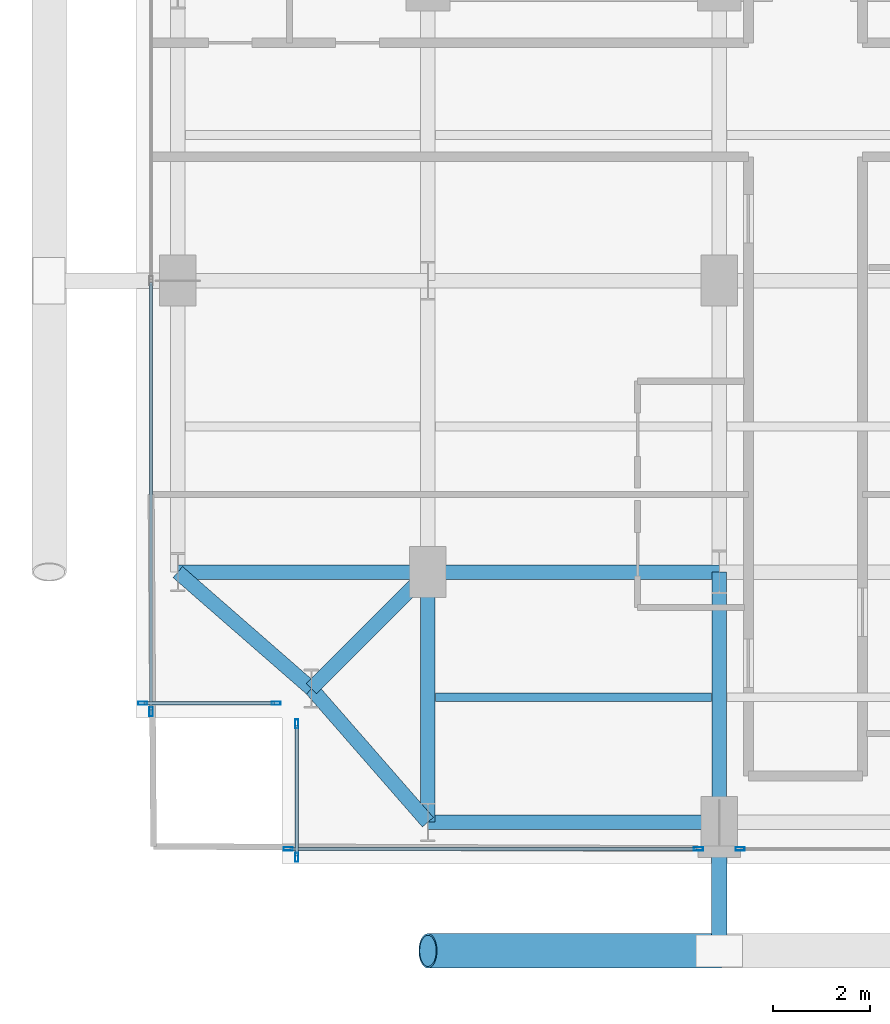
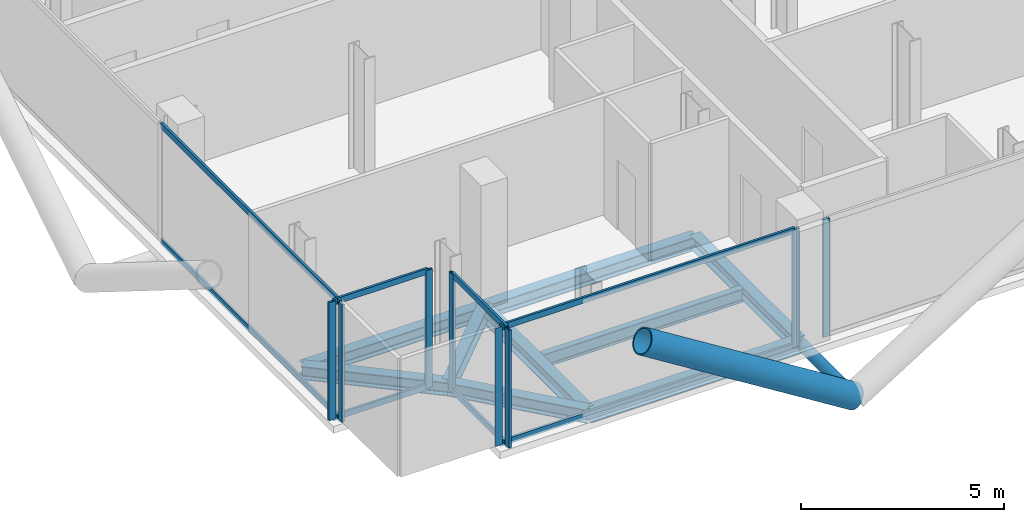
# One storey, part 2 of 25: 18 members, 9 beams, 5 elements without a shape of their own.
"""IFC4 building model written with IfcOpenShell, lengths in metres."""

from ifc_helpers import new_model, si_unit, direction, frame, origin, origin_2d, place, context, subcontext, project, spatial, hollow_rectangle, hollow_circle, i_section, extrude, material, layer, layer_set, material_profile, profile_set, type_object, element, aggregate, save


model = new_model("IFC4")

# Units and contexts
model_context = context("Model", 3, precision=1e-05, world=origin(), true_north=direction((0.0, 1.0)))
body_context = subcontext(model_context, "Body", "Model", "MODEL_VIEW")
ifc_project = project(units=[si_unit("LENGTHUNIT", "METRE"), si_unit("AREAUNIT", "SQUARE_METRE"), si_unit("VOLUMEUNIT", "CUBIC_METRE"), si_unit("PLANEANGLEUNIT", "RADIAN"), si_unit("MASSUNIT", "GRAM", prefix="KILO"), si_unit("THERMODYNAMICTEMPERATUREUNIT", "KELVIN"), si_unit("POWERUNIT", "WATT")], contexts=[model_context])

# Site, building, storey
site_placement = place(None, origin())
site = spatial("IfcSite", under=ifc_project, at=site_placement, CompositionType="ELEMENT")
building_placement = place(site_placement, origin())
building = spatial("IfcBuilding", under=site, at=building_placement, Name="Svarakhadi Broadcast Tower", CompositionType="ELEMENT")
storey_placement = place(building_placement, frame((0.0, 0.0, 216.14990234375)))
storey = spatial("IfcBuildingStorey", under=building, at=storey_placement, Name="L53", CompositionType="ELEMENT", Elevation=216.14990234375)

# Beam
ifc_material_1 = material(Name="Steel S355J2 (IS 2062 E350C)", Category="steel")
ifc_material_profile_1 = material_profile(ifc_material_1, i_section(OverallWidth=0.179931640625, OverallDepth=0.39990234375, WebThickness=0.008544921875, FlangeThickness=0.013427734375, FilletRadius=0.02099609375, at=origin_2d()), Name="NPB 400x180x66")
ifc_profile_set_1 = profile_set([ifc_material_profile_1], Name="Steel S355J2 (IS 2062 E350C)")
beam_type_1 = type_object("IfcBeamType", Name="Beam_NPB400", PredefinedType="BEAM", material=ifc_profile_set_1)
beam_1_placement = place(storey_placement, frame((6.159912109375, 3.425048828125, -0.409912109375), z_axis=(1.0, 0.0, 0.0), x_axis=(0.0, 1.0, 0.0)))
element("IfcBeam", 1, at=beam_1_placement, inside=storey, type_object=beam_type_1, Name="L53 Secondary Composite Beam SB005", PredefinedType="BEAM", context=body_context, shape_type="SweptSolid", body=[
    extrude(i_section(OverallWidth=0.179931640625, OverallDepth=0.39990234375, WebThickness=0.008544921875, FlangeThickness=0.013427734375, FilletRadius=0.02099609375, at=origin_2d()), origin(), (0.0, 0.0, 1.0), 5.68017578125),
])

# Curtain wall, members
ifc_material_2 = material(Name="Anodised Bronze Aluminium AA 6063-T6", Category="aluminium")
ifc_layer = layer(ifc_material_2, 0.18994140625)
ifc_layer_set = layer_set([ifc_layer], Name="Anodised Bronze Aluminium AA 6063-T6")
curtain_wall_type = type_object("IfcCurtainWallType", Name="CW_Sys_04", PredefinedType="NOTDEFINED", material=ifc_layer_set)
curtain_wall_1_placement = place(storey_placement, origin())
curtain_wall_1 = element("IfcCurtainWall", 2, at=curtain_wall_1_placement, inside=storey, type_object=curtain_wall_type, Name="L53 Unitised Facade Curtain Wall 01", PredefinedType="NOTDEFINED")
ifc_material_profile_2 = material_profile(ifc_material_2, hollow_rectangle(XDim=0.070068359375, YDim=0.18994140625, WallThickness=0.005615234375, at=origin_2d()), Name="ALU MULLION 190x70x6")
ifc_profile_set_2 = profile_set([ifc_material_profile_2], Name="Anodised Bronze Aluminium AA 6063-T6")
member_type_1 = type_object("IfcMemberType", Name="CW_Sys_04_Mul", PredefinedType="MULLION", material=ifc_profile_set_2)
member_1_placement = place(storey_placement, frame((2.875, 3.300048828125, 0.0), z_axis=(0.0, 0.0, 1.0), x_axis=(0.0, -1.0, 0.0)))
member_1 = element("IfcMember", 3, at=member_1_placement, type_object=member_type_1, Name="CW-04 mullion 1", PredefinedType="MULLION", context=body_context, shape_type="SweptSolid", body=[
    extrude(hollow_rectangle(XDim=0.070068359375, YDim=0.18994140625, WallThickness=0.005615234375, at=origin_2d()), origin(), (0.0, 0.0, 1.0), 3.5400390625),
])
member_2_placement = place(storey_placement, frame((0.125, 3.300048828125, 0.0), z_axis=(0.0, 0.0, 1.0), x_axis=(0.0, -1.0, 0.0)))
member_2 = element("IfcMember", 4, at=member_2_placement, type_object=member_type_1, Name="CW-04 mullion 2", PredefinedType="MULLION", context=body_context, shape_type="SweptSolid", body=[
    extrude(hollow_rectangle(XDim=0.070068359375, YDim=0.18994140625, WallThickness=0.005615234375, at=origin_2d()), origin(), (0.0, 0.0, 1.0), 3.5400390625),
])

# Curtain wall, member
curtain_wall_2_placement = place(storey_placement, origin())
curtain_wall_2 = element("IfcCurtainWall", 5, at=curtain_wall_2_placement, inside=storey, type_object=curtain_wall_type, Name="L53 West Curtain Wall 02", PredefinedType="NOTDEFINED")
member_3_placement = place(storey_placement, frame((0.300048828125, 3.125, 0.0), z_axis=(0.0, 0.0, 1.0), x_axis=(-1.0, 0.0, 0.0)))
member_3 = element("IfcMember", 6, at=member_3_placement, type_object=member_type_1, Name="CW-04 mullion 1", PredefinedType="MULLION", context=body_context, shape_type="SweptSolid", body=[
    extrude(hollow_rectangle(XDim=0.070068359375, YDim=0.18994140625, WallThickness=0.005615234375, at=origin_2d()), origin(), (0.0, 0.0, 1.0), 3.5400390625),
])

curtain_wall_3_placement = place(storey_placement, origin())
curtain_wall_3 = element("IfcCurtainWall", 7, at=curtain_wall_3_placement, inside=storey, type_object=curtain_wall_type, Name="L53 South Curtain Wall 17 Bay 2", PredefinedType="NOTDEFINED")
member_4_placement = place(storey_placement, frame((12.429931640625, 0.300048828125, 0.0), z_axis=(0.0, 0.0, 1.0), x_axis=(0.0, -1.0, 0.0)))
member_4 = element("IfcMember", 8, at=member_4_placement, type_object=member_type_1, Name="CW-04 mullion 2", PredefinedType="MULLION", context=body_context, shape_type="SweptSolid", body=[
    extrude(hollow_rectangle(XDim=0.070068359375, YDim=0.18994140625, WallThickness=0.005615234375, at=origin_2d()), origin(), (0.0, 0.0, 1.0), 3.5400390625),
])
aggregate(curtain_wall_3, [member_4])

# Curtain wall, members
curtain_wall_4_placement = place(storey_placement, origin())
curtain_wall_4 = element("IfcCurtainWall", 9, at=curtain_wall_4_placement, inside=storey, type_object=curtain_wall_type, Name="L53 South Curtain Wall 17 Bay 3", PredefinedType="NOTDEFINED")
member_5_placement = place(storey_placement, frame((11.570068359375, 0.300048828125, 0.0), z_axis=(0.0, 0.0, 1.0), x_axis=(0.0, -1.0, 0.0)))
member_5 = element("IfcMember", 10, at=member_5_placement, type_object=member_type_1, Name="CW-04 mullion 1", PredefinedType="MULLION", context=body_context, shape_type="SweptSolid", body=[
    extrude(hollow_rectangle(XDim=0.070068359375, YDim=0.18994140625, WallThickness=0.005615234375, at=origin_2d()), origin(), (0.0, 0.0, 1.0), 3.5400390625),
])
member_6_placement = place(storey_placement, frame((3.125, 0.300048828125, 0.0), z_axis=(0.0, 0.0, 1.0), x_axis=(0.0, -1.0, 0.0)))
member_6 = element("IfcMember", 11, at=member_6_placement, type_object=member_type_1, Name="CW-04 mullion 2", PredefinedType="MULLION", context=body_context, shape_type="SweptSolid", body=[
    extrude(hollow_rectangle(XDim=0.070068359375, YDim=0.18994140625, WallThickness=0.005615234375, at=origin_2d()), origin(), (0.0, 0.0, 1.0), 3.5400390625),
])

curtain_wall_5_placement = place(storey_placement, origin())
curtain_wall_5 = element("IfcCurtainWall", 12, at=curtain_wall_5_placement, inside=storey, type_object=curtain_wall_type, Name="L53 Unitised Facade Curtain Wall 18", PredefinedType="NOTDEFINED")
member_7_placement = place(storey_placement, frame((3.300048828125, 0.125, 0.0), z_axis=(0.0, 0.0, 1.0), x_axis=(-1.0, 0.0, 0.0)))
member_7 = element("IfcMember", 13, at=member_7_placement, type_object=member_type_1, Name="CW-04 mullion 1", PredefinedType="MULLION", context=body_context, shape_type="SweptSolid", body=[
    extrude(hollow_rectangle(XDim=0.070068359375, YDim=0.18994140625, WallThickness=0.005615234375, at=origin_2d()), origin(), (0.0, 0.0, 1.0), 3.5400390625),
])
member_8_placement = place(storey_placement, frame((3.300048828125, 2.875, 0.0), z_axis=(0.0, 0.0, 1.0), x_axis=(-1.0, 0.0, 0.0)))
member_8 = element("IfcMember", 14, at=member_8_placement, type_object=member_type_1, Name="CW-04 mullion 2", PredefinedType="MULLION", context=body_context, shape_type="SweptSolid", body=[
    extrude(hollow_rectangle(XDim=0.070068359375, YDim=0.18994140625, WallThickness=0.005615234375, at=origin_2d()), origin(), (0.0, 0.0, 1.0), 3.5400390625),
])

# Member
ifc_material_profile_3 = material_profile(ifc_material_2, hollow_rectangle(XDim=0.06494140625, YDim=0.175048828125, WallThickness=0.0048828125, at=origin_2d()), Name="ALU TRANSOM 175x65x5")
ifc_profile_set_3 = profile_set([ifc_material_profile_3], Name="Anodised Bronze Aluminium AA 6063-T6")
member_type_2 = type_object("IfcMemberType", Name="CW_Sys_04_Trn", PredefinedType="USERDEFINED", material=ifc_profile_set_3)
member_9_placement = place(storey_placement, frame((2.840087890625, 3.300048828125, 0.03271484375), z_axis=(-1.0, 0.0, 0.0), x_axis=(0.0, -1.0, 0.0)))
member_9 = element("IfcMember", 15, at=member_9_placement, type_object=member_type_2, Name="CW-04 transom 1.1", ObjectType="TRANSOM", PredefinedType="USERDEFINED", context=body_context, shape_type="SweptSolid", body=[
    extrude(hollow_rectangle(XDim=0.06494140625, YDim=0.175048828125, WallThickness=0.0048828125, at=origin_2d()), origin(), (0.0, 0.0, 1.0), 2.68017578125),
])

member_10_placement = place(storey_placement, frame((2.840087890625, 3.300048828125, 3.507568359375), z_axis=(-1.0, 0.0, 0.0), x_axis=(0.0, -1.0, 0.0)))
member_10 = element("IfcMember", 16, at=member_10_placement, type_object=member_type_2, Name="CW-04 transom 1.2", ObjectType="TRANSOM", PredefinedType="USERDEFINED", context=body_context, shape_type="SweptSolid", body=[
    extrude(hollow_rectangle(XDim=0.06494140625, YDim=0.175048828125, WallThickness=0.0048828125, at=origin_2d()), origin(), (0.0, 0.0, 1.0), 2.68017578125),
])

aggregate(curtain_wall_1, [member_1, member_2, member_9, member_10])

member_11_placement = place(storey_placement, frame((0.300048828125, 3.159912109375, 0.03271484375), z_axis=(0.0, 1.0, 0.0), x_axis=(-1.0, 0.0, 0.0)))
member_11 = element("IfcMember", 17, at=member_11_placement, type_object=member_type_2, Name="CW-04 transom 1.1", ObjectType="TRANSOM", PredefinedType="USERDEFINED", context=body_context, shape_type="SweptSolid", body=[
    extrude(hollow_rectangle(XDim=0.06494140625, YDim=0.175048828125, WallThickness=0.0048828125, at=origin_2d()), origin(), (0.0, 0.0, 1.0), 8.80517578125),
])

member_12_placement = place(storey_placement, frame((0.300048828125, 3.159912109375, 3.507568359375), z_axis=(0.0, 1.0, 0.0), x_axis=(-1.0, 0.0, 0.0)))
member_12 = element("IfcMember", 18, at=member_12_placement, type_object=member_type_2, Name="CW-04 transom 1.2", ObjectType="TRANSOM", PredefinedType="USERDEFINED", context=body_context, shape_type="SweptSolid", body=[
    extrude(hollow_rectangle(XDim=0.06494140625, YDim=0.175048828125, WallThickness=0.0048828125, at=origin_2d()), origin(), (0.0, 0.0, 1.0), 8.80517578125),
])

aggregate(curtain_wall_2, [member_3, member_11, member_12])

member_13_placement = place(storey_placement, frame((11.534912109375, 0.300048828125, 0.03271484375), z_axis=(-1.0, 0.0, 0.0), x_axis=(0.0, -1.0, 0.0)))
member_13 = element("IfcMember", 19, at=member_13_placement, type_object=member_type_2, Name="CW-04 transom 1.1", ObjectType="TRANSOM", PredefinedType="USERDEFINED", context=body_context, shape_type="SweptSolid", body=[
    extrude(hollow_rectangle(XDim=0.06494140625, YDim=0.175048828125, WallThickness=0.0048828125, at=origin_2d()), origin(), (0.0, 0.0, 1.0), 8.375),
])

member_14_placement = place(storey_placement, frame((11.534912109375, 0.300048828125, 3.507568359375), z_axis=(-1.0, 0.0, 0.0), x_axis=(0.0, -1.0, 0.0)))
member_14 = element("IfcMember", 20, at=member_14_placement, type_object=member_type_2, Name="CW-04 transom 1.2", ObjectType="TRANSOM", PredefinedType="USERDEFINED", context=body_context, shape_type="SweptSolid", body=[
    extrude(hollow_rectangle(XDim=0.06494140625, YDim=0.175048828125, WallThickness=0.0048828125, at=origin_2d()), origin(), (0.0, 0.0, 1.0), 8.375),
])

aggregate(curtain_wall_4, [member_5, member_6, member_13, member_14])

member_15_placement = place(storey_placement, frame((3.300048828125, 0.159912109375, 0.03271484375), z_axis=(0.0, 1.0, 0.0), x_axis=(-1.0, 0.0, 0.0)))
member_15 = element("IfcMember", 21, at=member_15_placement, type_object=member_type_2, Name="CW-04 transom 1.1", ObjectType="TRANSOM", PredefinedType="USERDEFINED", context=body_context, shape_type="SweptSolid", body=[
    extrude(hollow_rectangle(XDim=0.06494140625, YDim=0.175048828125, WallThickness=0.0048828125, at=origin_2d()), origin(), (0.0, 0.0, 1.0), 2.68017578125),
])

member_16_placement = place(storey_placement, frame((3.300048828125, 0.159912109375, 3.507568359375), z_axis=(0.0, 1.0, 0.0), x_axis=(-1.0, 0.0, 0.0)))
member_16 = element("IfcMember", 22, at=member_16_placement, type_object=member_type_2, Name="CW-04 transom 1.2", ObjectType="TRANSOM", PredefinedType="USERDEFINED", context=body_context, shape_type="SweptSolid", body=[
    extrude(hollow_rectangle(XDim=0.06494140625, YDim=0.175048828125, WallThickness=0.0048828125, at=origin_2d()), origin(), (0.0, 0.0, 1.0), 2.68017578125),
])

aggregate(curtain_wall_5, [member_7, member_8, member_15, member_16])

# Members
ifc_material_3 = material(Name="Steel S460ML (IS 2062 E450BR)", Category="steel")
ifc_material_profile_4 = material_profile(ifc_material_3, hollow_circle(Radius=0.35546875, WallThickness=0.034912109375, at=origin_2d()), Name="CHS 711x35")
ifc_profile_set_4 = profile_set([ifc_material_profile_4], Name="Steel S460ML (IS 2062 E450BR)")
member_type_3 = type_object("IfcMemberType", Name="Exo_Brace_CHS711", PredefinedType="BRACE", material=ifc_profile_set_4)
member_17_placement = place(storey_placement, frame((12.0, -1.800048828125, -0.371826171875), z_axis=(-0.847998304005, 0.0, 0.529998940003), x_axis=(0.0, -1.0, 0.0)))
element("IfcMember", 23, at=member_17_placement, inside=storey, type_object=member_type_3, Name="L53 Exposed Bronze Exoskeleton Diagonal S01", PredefinedType="BRACE", context=body_context, shape_type="SweptSolid", body=[
    extrude(hollow_circle(Radius=0.35546875, WallThickness=0.034912109375, at=origin_2d()), origin(), (0.0, 0.0, 1.0), 7.075439453125),
])
ifc_material_profile_5 = material_profile(ifc_material_3, hollow_circle(Radius=0.161865234375, WallThickness=0.01611328125, at=origin_2d()), Name="CHS 323.9x16")
ifc_profile_set_5 = profile_set([ifc_material_profile_5], Name="Steel S460ML (IS 2062 E450BR)")
member_type_4 = type_object("IfcMemberType", Name="Exo_Radial_Strut_Z2", PredefinedType="STRUT", material=ifc_profile_set_5)
member_18_placement = place(storey_placement, frame((12.0, -1.800048828125, -0.371826171875), z_axis=(0.0, 1.0, 0.0), x_axis=(-1.0, 0.0, 0.0)))
element("IfcMember", 24, at=member_18_placement, inside=storey, type_object=member_type_4, Name="L53 Exoskeleton Radial Tie Strut S01", PredefinedType="STRUT", context=body_context, shape_type="SweptSolid", body=[
    extrude(hollow_circle(Radius=0.161865234375, WallThickness=0.01611328125, at=origin_2d()), origin(), (0.0, 0.0, 1.0), 2.650146484375),
])

# Beams
ifc_material_profile_6 = material_profile(ifc_material_1, i_section(OverallWidth=0.300048828125, OverallDepth=0.39990234375, WebThickness=0.013427734375, FlangeThickness=0.02392578125, FilletRadius=0.027099609375, at=origin_2d()), Name="WPB 400x300x155")
ifc_profile_set_6 = profile_set([ifc_material_profile_6], Name="Steel S355J2 (IS 2062 E350C)")
beam_type_2 = type_object("IfcBeamType", Name="Girder_WPB400", PredefinedType="USERDEFINED", material=ifc_profile_set_6)
beam_2_placement = place(storey_placement, frame((3.60009765625, 3.60009765625, -0.409912109375), z_axis=(0.707106781187, 0.707106781187, 0.0), x_axis=(-0.707106781187, 0.707106781187, 0.0)))
element("IfcBeam", 25, at=beam_2_placement, inside=storey, type_object=beam_type_2, Name="L53 Corner Tie Girder G001", ObjectType="GIRDER", PredefinedType="USERDEFINED", context=body_context, shape_type="SweptSolid", body=[
    extrude(i_section(OverallWidth=0.300048828125, OverallDepth=0.39990234375, WebThickness=0.013427734375, FlangeThickness=0.02392578125, FilletRadius=0.027099609375, at=origin_2d()), origin(), (0.0, 0.0, 1.0), 3.39404296875),
])
for number, where, z_axis, x_axis, name in (
    (26, (3.60009765625, 3.60009765625, -0.409912109375), (-0.753437912176, 0.657519058655, 0.0), (-0.657519058655, -0.753437912176, 0.0), "L53 Corner Tie Girder G002"),
    (27, (3.60009765625, 3.60009765625, -0.409912109375), (0.657519058655, -0.753437912176, 0.0), (0.753437912176, 0.657519058655, 0.0), "L53 Corner Tie Girder G003"),
):
    element("IfcBeam", number, at=place(storey_placement, frame(where, z_axis=z_axis, x_axis=x_axis)), inside=storey, type_object=beam_type_2, Name=name, ObjectType="GIRDER", PredefinedType="USERDEFINED", context=body_context, shape_type="SweptSolid", body=[
        extrude(i_section(OverallWidth=0.300048828125, OverallDepth=0.39990234375, WebThickness=0.013427734375, FlangeThickness=0.02392578125, FilletRadius=0.027099609375, at=origin_2d()), origin(), (0.0, 0.0, 1.0), 3.64990234375),
    ])
beam_3_placement = place(storey_placement, frame((6.0, 0.85009765625, -0.409912109375), z_axis=(1.0, 0.0, 0.0), x_axis=(0.0, 1.0, 0.0)))
element("IfcBeam", 28, at=beam_3_placement, inside=storey, type_object=beam_type_2, Name="L53 Primary E-W Girder G004", ObjectType="GIRDER", PredefinedType="USERDEFINED", context=body_context, shape_type="SweptSolid", body=[
    extrude(i_section(OverallWidth=0.300048828125, OverallDepth=0.39990234375, WebThickness=0.013427734375, FlangeThickness=0.02392578125, FilletRadius=0.027099609375, at=origin_2d()), origin(), (0.0, 0.0, 1.0), 6.0),
])
beam_4_placement = place(storey_placement, frame((0.85009765625, 6.0, -0.409912109375), z_axis=(1.0, 0.0, 0.0), x_axis=(0.0, 1.0, 0.0)))
element("IfcBeam", 29, at=beam_4_placement, inside=storey, type_object=beam_type_2, Name="L53 Primary E-W Girder G009", ObjectType="GIRDER", PredefinedType="USERDEFINED", context=body_context, shape_type="SweptSolid", body=[
    extrude(i_section(OverallWidth=0.300048828125, OverallDepth=0.39990234375, WebThickness=0.013427734375, FlangeThickness=0.02392578125, FilletRadius=0.027099609375, at=origin_2d()), origin(), (0.0, 0.0, 1.0), 5.14990234375),
])
beam_5_placement = place(storey_placement, frame((6.0, 6.0, -0.409912109375), z_axis=(1.0, 0.0, 0.0), x_axis=(0.0, 1.0, 0.0)))
element("IfcBeam", 30, at=beam_5_placement, inside=storey, type_object=beam_type_2, Name="L53 Primary E-W Girder G010", ObjectType="GIRDER", PredefinedType="USERDEFINED", context=body_context, shape_type="SweptSolid", body=[
    extrude(i_section(OverallWidth=0.300048828125, OverallDepth=0.39990234375, WebThickness=0.013427734375, FlangeThickness=0.02392578125, FilletRadius=0.027099609375, at=origin_2d()), origin(), (0.0, 0.0, 1.0), 6.0),
])
for number, where, z_axis, x_axis, name in (
    (31, (6.0, 0.85009765625, -0.409912109375), (0.0, 1.0, 0.0), (-1.0, 0.0, 0.0), "L53 Primary N-S Girder G037"),
    (32, (12.0, 0.85009765625, -0.409912109375), (0.0, 1.0, 0.0), (-1.0, 0.0, 0.0), "L53 Primary N-S Girder G042"),
):
    element("IfcBeam", number, at=place(storey_placement, frame(where, z_axis=z_axis, x_axis=x_axis)), inside=storey, type_object=beam_type_2, Name=name, ObjectType="GIRDER", PredefinedType="USERDEFINED", context=body_context, shape_type="SweptSolid", body=[
        extrude(i_section(OverallWidth=0.300048828125, OverallDepth=0.39990234375, WebThickness=0.013427734375, FlangeThickness=0.02392578125, FilletRadius=0.027099609375, at=origin_2d()), origin(), (0.0, 0.0, 1.0), 5.14990234375),
    ])

save(model, "model.ifc")
